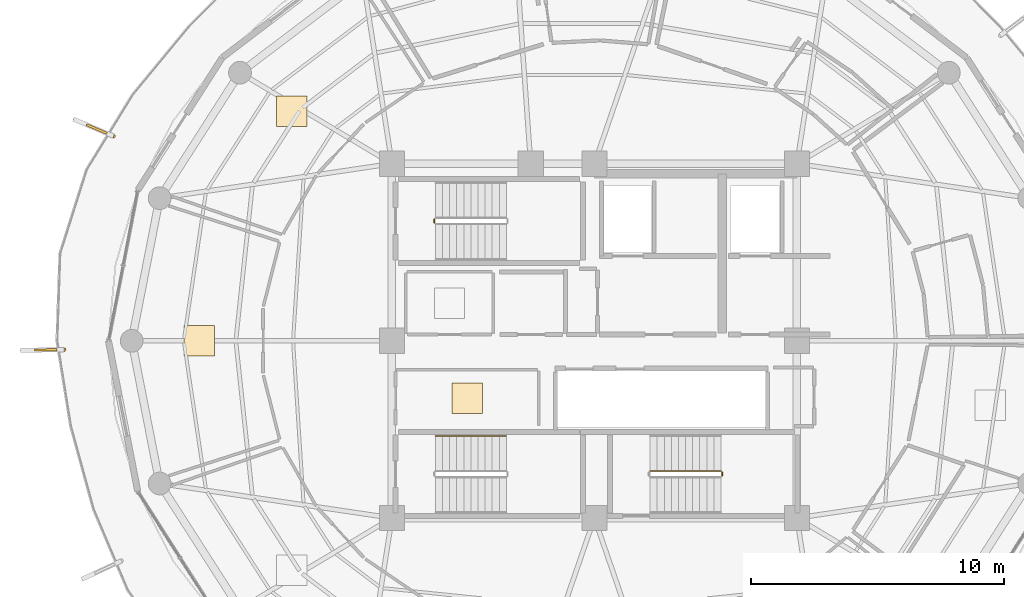
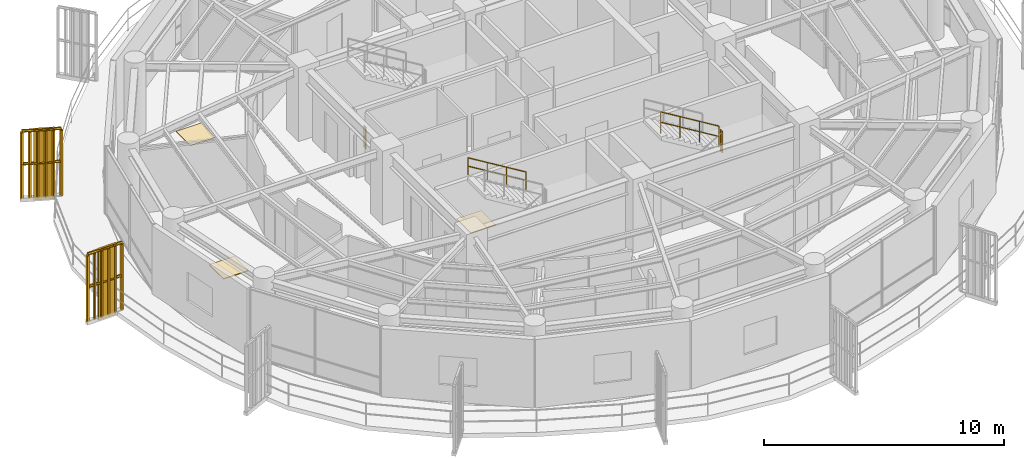
# One storey, part 21 of 23: 6 railings, 3 coverings, 2 shading devices.
"""IFC4 building model written with IfcOpenShell, lengths in metres."""

from ifc_helpers import new_model, si_unit, direction, frame, origin, origin_2d, place, context, subcontext, project, spatial, polyline, rectangle, outline, extrude, source, transform, mapped, material, layer, layer_set, type_object, element, save


model = new_model("IFC4")

# Units and contexts
model_context = context("Model", 3, precision=1e-05, world=origin(), true_north=direction((0.0, 1.0)))
body_context = subcontext(model_context, "Body", "Model", "MODEL_VIEW")
ifc_project = project(units=[si_unit("LENGTHUNIT", "METRE"), si_unit("AREAUNIT", "SQUARE_METRE"), si_unit("VOLUMEUNIT", "CUBIC_METRE"), si_unit("PLANEANGLEUNIT", "RADIAN"), si_unit("MASSUNIT", "GRAM", prefix="KILO")], contexts=[model_context])

# Site, building, storey
site_placement = place(None, origin())
site = spatial("IfcSite", under=ifc_project, at=site_placement, CompositionType="ELEMENT")
building_placement = place(site_placement, origin())
building = spatial("IfcBuilding", under=site, at=building_placement, Name="Kelanora Arch Commons", CompositionType="ELEMENT")
storey_placement = place(building_placement, frame((0.0, 0.0, 252.449951171875)))
storey = spatial("IfcBuildingStorey", under=building, at=storey_placement, Name="L64", CompositionType="ELEMENT", Elevation=252.449951171875)

# Railings
ifc_material_1 = material(Name="Anodised bronze vertical shading fin rib assembly")
railing_type_1 = type_object("IfcRailingType", Name="RAIL-FIN-BRZ", PredefinedType="BALUSTRADE", material=ifc_material_1)
railing_1_placement = place(storey_placement, frame((55.001220703125, 66.084716796875, -0.02001953125)))
element("IfcRailing", 1, at=railing_1_placement, inside=storey, type_object=railing_type_1, Name="Sweeping Bronze Vertical Fin Blade L64-08", PredefinedType="BALUSTRADE", context=body_context, shape_type="SweptSolid", body=[
    extrude(outline(polyline([(0.06982421875, 0.0), (0.034912109375, 0.060546875), (-0.034912109375, 0.060546875), (-0.06982421875, 0.0), (-0.034912109375, -0.060546875), (0.034912109375, -0.060546875), (0.06982421875, 0.0)])), frame((0.0, 0.0, 3.419921875), z_axis=(-0.920093713834, 0.391698299413, 0.0), x_axis=(-0.391698299413, -0.920093713834, 0.0)), (0.0, 0.0, 1.0), 1.6591796875),
    extrude(outline(polyline([(0.06982421875, 0.0), (0.034912109375, 0.060546875), (-0.034912109375, 0.060546875), (-0.06982421875, 0.0), (-0.034912109375, -0.060546875), (0.034912109375, -0.060546875), (0.06982421875, 0.0)])), frame((0.0, 0.0, 1.7451171875), z_axis=(-0.920093713834, 0.391698299413, 0.0), x_axis=(-0.391698299413, -0.920093713834, 0.0)), (0.0, 0.0, 1.0), 1.6591796875),
    extrude(outline(polyline([(0.080078125, 0.0), (0.0400390625, 0.0693359375), (-0.0400390625, 0.0693359375), (-0.080078125, 0.0), (-0.0400390625, -0.0693359375), (0.0400390625, -0.0693359375), (0.080078125, 0.0)])), origin(), (0.0, 0.0, 1.0), 3.35009765625),
    extrude(outline(polyline([(0.080078125, 0.0), (0.0400390625, 0.0693359375), (-0.0400390625, 0.0693359375), (-0.080078125, 0.0), (-0.0400390625, -0.0693359375), (0.0400390625, -0.0693359375), (0.080078125, 0.0)])), frame((-0.305419921875, 0.1298828125, 0.0)), (0.0, 0.0, 1.0), 3.35009765625),
    extrude(outline(polyline([(0.080078125, 0.0), (0.0400390625, 0.0693359375), (-0.0400390625, 0.0693359375), (-0.080078125, 0.0), (-0.0400390625, -0.0693359375), (0.0400390625, -0.0693359375), (0.080078125, 0.0)])), frame((-0.610595703125, 0.260009765625, 0.0)), (0.0, 0.0, 1.0), 3.35009765625),
    extrude(outline(polyline([(0.080078125, 0.0), (0.0400390625, 0.0693359375), (-0.0400390625, 0.0693359375), (-0.080078125, 0.0), (-0.0400390625, -0.0693359375), (0.0400390625, -0.0693359375), (0.080078125, 0.0)])), frame((-0.916015625, 0.389892578125, 0.0)), (0.0, 0.0, 1.0), 3.35009765625),
    extrude(outline(polyline([(0.080078125, 0.0), (0.0400390625, 0.0693359375), (-0.0400390625, 0.0693359375), (-0.080078125, 0.0), (-0.0400390625, -0.0693359375), (0.0400390625, -0.0693359375), (0.080078125, 0.0)])), frame((-1.22119140625, 0.52001953125, 0.0)), (0.0, 0.0, 1.0), 3.35009765625),
    extrude(outline(polyline([(0.080078125, 0.0), (0.0400390625, 0.0693359375), (-0.0400390625, 0.0693359375), (-0.080078125, 0.0), (-0.0400390625, -0.0693359375), (0.0400390625, -0.0693359375), (0.080078125, 0.0)])), frame((-1.526611328125, 0.64990234375, 0.0)), (0.0, 0.0, 1.0), 3.35009765625),
])
railing_2_placement = place(storey_placement, frame((53.044677734375, 57.6533203125, -0.02001953125)))
element("IfcRailing", 2, at=railing_2_placement, inside=storey, type_object=railing_type_1, Name="Sweeping Bronze Vertical Fin Blade L64-09", PredefinedType="BALUSTRADE", context=body_context, shape_type="SweptSolid", body=[
    extrude(outline(polyline([(0.06982421875, 0.0), (0.034912109375, 0.060546875), (-0.034912109375, 0.060546875), (-0.06982421875, 0.0), (-0.034912109375, -0.060546875), (0.034912109375, -0.060546875), (0.06982421875, 0.0)])), frame((0.0, 0.0, 3.419921875), z_axis=(-0.999861752304, -0.016627575866, 0.0), x_axis=(0.016627575866, -0.999861752304, 0.0)), (0.0, 0.0, 1.0), 1.6591796875),
    extrude(outline(polyline([(0.06982421875, 0.0), (0.034912109375, 0.060546875), (-0.034912109375, 0.060546875), (-0.06982421875, 0.0), (-0.034912109375, -0.060546875), (0.034912109375, -0.060546875), (0.06982421875, 0.0)])), frame((0.0, 0.0, 1.7451171875), z_axis=(-0.999861752304, -0.016627575866, 0.0), x_axis=(0.016627575866, -0.999861752304, 0.0)), (0.0, 0.0, 1.0), 1.6591796875),
    extrude(outline(polyline([(0.080078125, 0.0), (0.0400390625, 0.0693359375), (-0.0400390625, 0.0693359375), (-0.080078125, 0.0), (-0.0400390625, -0.0693359375), (0.0400390625, -0.0693359375), (0.080078125, 0.0)])), origin(), (0.0, 0.0, 1.0), 3.35009765625),
    extrude(outline(polyline([(0.080078125, 0.0), (0.0400390625, 0.0693359375), (-0.0400390625, 0.0693359375), (-0.080078125, 0.0), (-0.0400390625, -0.0693359375), (0.0400390625, -0.0693359375), (0.080078125, 0.0)])), frame((-0.331787109375, -0.005615234375, 0.0)), (0.0, 0.0, 1.0), 3.35009765625),
    extrude(outline(polyline([(0.080078125, 0.0), (0.0400390625, 0.0693359375), (-0.0400390625, 0.0693359375), (-0.080078125, 0.0), (-0.0400390625, -0.0693359375), (0.0400390625, -0.0693359375), (0.080078125, 0.0)])), frame((-0.66357421875, -0.010986328125, 0.0)), (0.0, 0.0, 1.0), 3.35009765625),
    extrude(outline(polyline([(0.080078125, 0.0), (0.0400390625, 0.0693359375), (-0.0400390625, 0.0693359375), (-0.080078125, 0.0), (-0.0400390625, -0.0693359375), (0.0400390625, -0.0693359375), (0.080078125, 0.0)])), frame((-0.995361328125, -0.0166015625, 0.0)), (0.0, 0.0, 1.0), 3.35009765625),
    extrude(outline(polyline([(0.080078125, 0.0), (0.0400390625, 0.0693359375), (-0.0400390625, 0.0693359375), (-0.080078125, 0.0), (-0.0400390625, -0.0693359375), (0.0400390625, -0.0693359375), (0.080078125, 0.0)])), frame((-1.3271484375, -0.02197265625, 0.0)), (0.0, 0.0, 1.0), 3.35009765625),
    extrude(outline(polyline([(0.080078125, 0.0), (0.0400390625, 0.0693359375), (-0.0400390625, 0.0693359375), (-0.080078125, 0.0), (-0.0400390625, -0.0693359375), (0.0400390625, -0.0693359375), (0.080078125, 0.0)])), frame((-1.658935546875, -0.027587890625, 0.0)), (0.0, 0.0, 1.0), 3.35009765625),
])
ifc_material_2 = material(Name="Painted steel stair well guard", Category="steel")
railing_type_2 = type_object("IfcRailingType", Name="RAIL-STAIR-GRD", PredefinedType="GUARDRAIL", material=ifc_material_2)
for number, where, name in (
    (3, (67.669921875, 62.659912109375, 0.0), "L64 ST-T1 stair guard 4"),
    (4, (79.050048828125, 52.659912109375, 1.875), "L64 ST-T2 stair guard 2"),
):
    element("IfcRailing", number, at=place(storey_placement, frame(where)), inside=storey, type_object=railing_type_2, Name=name, PredefinedType="GUARDRAIL", context=body_context, shape_type="SweptSolid", body=[
        extrude(outline(polyline([(0.02392578125, 0.0), (0.011962890625, 0.020751953125), (-0.011962890625, 0.020751953125), (-0.02392578125, 0.0), (-0.011962890625, -0.020751953125), (0.011962890625, -0.020751953125), (0.02392578125, 0.0)])), frame((0.0, 0.0, 1.076171875), z_axis=(0.0, 1.0, 0.0), x_axis=(-1.0, 0.0, 0.0)), (0.0, 0.0, 1.0), 0.150146484375),
        extrude(outline(polyline([(0.02392578125, 0.0), (0.011962890625, 0.020751953125), (-0.011962890625, 0.020751953125), (-0.02392578125, 0.0), (-0.011962890625, -0.020751953125), (0.011962890625, -0.020751953125), (0.02392578125, 0.0)])), frame((0.0, 0.0, 0.550048828125), z_axis=(0.0, 1.0, 0.0), x_axis=(-1.0, 0.0, 0.0)), (0.0, 0.0, 1.0), 0.150146484375),
        extrude(outline(polyline([(0.02099609375, 0.0), (0.010498046875, 0.01806640625), (-0.010498046875, 0.01806640625), (-0.02099609375, 0.0), (-0.010498046875, -0.01806640625), (0.010498046875, -0.01806640625), (0.02099609375, 0.0)])), origin(), (0.0, 0.0, 1.0), 1.052001953125),
        extrude(outline(polyline([(0.02099609375, 0.0), (0.010498046875, 0.01806640625), (-0.010498046875, 0.01806640625), (-0.02099609375, 0.0), (-0.010498046875, -0.01806640625), (0.010498046875, -0.01806640625), (0.02099609375, 0.0)])), frame((0.0, 0.150146484375, 0.0)), (0.0, 0.0, 1.0), 1.052001953125),
    ])
railing_3_placement = place(storey_placement, frame((79.0, 52.860107421875, 2.04541015625)))
element("IfcRailing", 5, at=railing_3_placement, inside=storey, type_object=railing_type_2, Name="L64 ST-T2 stair guard 3", PredefinedType="GUARDRAIL", context=body_context, shape_type="SweptSolid", body=[
    extrude(outline(polyline([(0.02392578125, 0.0), (0.011962890625, 0.020751953125), (-0.011962890625, 0.020751953125), (-0.02392578125, 0.0), (-0.011962890625, -0.020751953125), (0.011962890625, -0.020751953125), (0.02392578125, 0.0)])), frame((0.0, 0.0, 1.076171875), z_axis=(-0.854169791009, 0.0, 0.51999420009), x_axis=(0.0, -1.0, 0.0)), (0.0, 0.0, 1.0), 3.278076171875),
    extrude(outline(polyline([(0.02392578125, 0.0), (0.011962890625, 0.020751953125), (-0.011962890625, 0.020751953125), (-0.02392578125, 0.0), (-0.011962890625, -0.020751953125), (0.011962890625, -0.020751953125), (0.02392578125, 0.0)])), frame((0.0, 0.0, 0.550048828125), z_axis=(-0.854169791009, 0.0, 0.51999420009), x_axis=(0.0, -1.0, 0.0)), (0.0, 0.0, 1.0), 3.278076171875),
    extrude(outline(polyline([(0.02099609375, 0.0), (0.010498046875, 0.01806640625), (-0.010498046875, 0.01806640625), (-0.02099609375, 0.0), (-0.010498046875, -0.01806640625), (0.010498046875, -0.01806640625), (0.02099609375, 0.0)])), origin(), (0.0, 0.0, 1.0), 1.052001953125),
    extrude(outline(polyline([(0.02099609375, 0.0), (0.010498046875, 0.01806640625), (-0.010498046875, 0.01806640625), (-0.02099609375, 0.0), (-0.010498046875, -0.01806640625), (0.010498046875, -0.01806640625), (0.02099609375, 0.0)])), frame((-0.933349609375, 0.0, 0.568115234375)), (0.0, 0.0, 1.0), 1.052001953125),
    extrude(outline(polyline([(0.02099609375, 0.0), (0.010498046875, 0.01806640625), (-0.010498046875, 0.01806640625), (-0.02099609375, 0.0), (-0.010498046875, -0.01806640625), (0.010498046875, -0.01806640625), (0.02099609375, 0.0)])), frame((-1.86669921875, 0.0, 1.136474609375)), (0.0, 0.0, 1.0), 1.052001953125),
    extrude(outline(polyline([(0.02099609375, 0.0), (0.010498046875, 0.01806640625), (-0.010498046875, 0.01806640625), (-0.02099609375, 0.0), (-0.010498046875, -0.01806640625), (0.010498046875, -0.01806640625), (0.02099609375, 0.0)])), frame((-2.800048828125, 0.0, 1.70458984375)), (0.0, 0.0, 1.0), 1.052001953125),
])
ifc_material_3 = material(Name="Brushed stainless steel stair handrail", Category="steel")
railing_type_3 = type_object("IfcRailingType", Name="RAIL-STAIR-HND", PredefinedType="HANDRAIL", material=ifc_material_3)
railing_4_placement = place(storey_placement, frame((70.52001953125, 54.239990234375, 2.04541015625)))
element("IfcRailing", 6, at=railing_4_placement, inside=storey, type_object=railing_type_3, Name="L64 ST-T3 stair handrail 2", PredefinedType="HANDRAIL", context=body_context, shape_type="SweptSolid", body=[
    extrude(outline(polyline([(0.02392578125, 0.0), (0.011962890625, 0.020751953125), (-0.011962890625, 0.020751953125), (-0.02392578125, 0.0), (-0.011962890625, -0.020751953125), (0.011962890625, -0.020751953125), (0.02392578125, 0.0)])), frame((0.0, 0.0, 0.8759765625), z_axis=(-0.854169791009, 0.0, 0.51999420009), x_axis=(0.0, -1.0, 0.0)), (0.0, 0.0, 1.0), 3.278076171875),
    extrude(outline(polyline([(0.02392578125, 0.0), (0.011962890625, 0.020751953125), (-0.011962890625, 0.020751953125), (-0.02392578125, 0.0), (-0.011962890625, -0.020751953125), (0.011962890625, -0.020751953125), (0.02392578125, 0.0)])), frame((0.0, 0.0, 0.449951171875), z_axis=(-0.854169791009, 0.0, 0.51999420009), x_axis=(0.0, -1.0, 0.0)), (0.0, 0.0, 1.0), 3.278076171875),
    extrude(outline(polyline([(0.02099609375, 0.0), (0.010498046875, 0.01806640625), (-0.010498046875, 0.01806640625), (-0.02099609375, 0.0), (-0.010498046875, -0.01806640625), (0.010498046875, -0.01806640625), (0.02099609375, 0.0)])), origin(), (0.0, 0.0, 1.0), 0.851806640625),
    extrude(outline(polyline([(0.02099609375, 0.0), (0.010498046875, 0.01806640625), (-0.010498046875, 0.01806640625), (-0.02099609375, 0.0), (-0.010498046875, -0.01806640625), (0.010498046875, -0.01806640625), (0.02099609375, 0.0)])), frame((-0.933349609375, 0.0, 0.568115234375)), (0.0, 0.0, 1.0), 0.851806640625),
    extrude(outline(polyline([(0.02099609375, 0.0), (0.010498046875, 0.01806640625), (-0.010498046875, 0.01806640625), (-0.02099609375, 0.0), (-0.010498046875, -0.01806640625), (0.010498046875, -0.01806640625), (0.02099609375, 0.0)])), frame((-1.86669921875, 0.0, 1.136474609375)), (0.0, 0.0, 1.0), 0.851806640625),
    extrude(outline(polyline([(0.02099609375, 0.0), (0.010498046875, 0.01806640625), (-0.010498046875, 0.01806640625), (-0.02099609375, 0.0), (-0.010498046875, -0.01806640625), (0.010498046875, -0.01806640625), (0.02099609375, 0.0)])), frame((-2.800048828125, 0.0, 1.70458984375)), (0.0, 0.0, 1.0), 0.851806640625),
])

# Shading devices
ifc_material_4 = material(Name="Terracotta ceramic-clad extruded aluminium fin", Category="masonry")
shading_device_type = type_object("IfcShadingDeviceType", Name="SHD-FIN-FLARE", PredefinedType="USERDEFINED", material=ifc_material_4)
shared_shape_1 = source(origin(), body_context, "Body", "SweptSolid", [
    extrude(rectangle(XDim=0.8798828125, YDim=0.090087890625, at=origin_2d()), origin(), (0.0, 0.0, 1.0), 3.610107421875),
])
for number, where, z_axis, x_axis, name in (
    (7, (54.3388671875, 66.36669921875, -0.14013671875), (0.0, 0.0, 1.0), (-0.920163525759, 0.391534271632, 0.0), "Sweeping Terracotta Fin L64-08"),
    (8, (52.32470703125, 57.641357421875, -0.14013671875), (0.0, 0.0, 1.0), (-0.999862544538, -0.016579868188, 0.0), "Sweeping Terracotta Fin L64-09"),
):
    element("IfcShadingDevice", number, at=place(storey_placement, frame(where, z_axis=z_axis, x_axis=x_axis)), inside=storey, type_object=shading_device_type, Name=name, ObjectType="FIN", PredefinedType="USERDEFINED", context=body_context, shape_type="MappedRepresentation", body=[
        mapped(shared_shape_1, transform((0.0, 0.0, 0.0), scale=1.0)),
    ])

# Coverings
ifc_material_5 = material(Name="Polished local granite terrazzo flooring", Category="masonry")
ifc_layer = layer(ifc_material_5, 0.030029296875)
ifc_layer_set = layer_set([ifc_layer], Name="Polished local granite terrazzo flooring")
covering_type = type_object("IfcCoveringType", Name="COV-FLR-TER", PredefinedType="FLOORING", material=ifc_layer_set)
shared_shape_2 = source(origin(), body_context, "Body", "SweptSolid", [
    extrude(rectangle(XDim=1.199951171875, YDim=1.199951171875, at=origin_2d()), origin(), (0.0, 0.0, 1.0), 0.030029296875),
])
for number, where, z_axis, x_axis, name in (
    (9, (68.97509765625, 55.735107421875, 0.0), (0.0, 0.0, 1.0), (1.0, 0.0, 0.0), "Reclaimed Core High-Zone Pantry and Copy Room L64 Terrazzo Finish"),
    (10, (62.040771484375, 67.069580078125, 0.0), (0.0, 0.0, 1.0), (1.0, 0.0, 0.0), "Communal Dining and Social Hall L64-04 Terrazzo Finish"),
    (11, (58.388427734375, 58.0, 0.0), (0.0, 0.0, 1.0), (1.0, 0.0, 0.0), "Social Sky Lounge L64-05 Terrazzo Finish"),
):
    element("IfcCovering", number, at=place(storey_placement, frame(where, z_axis=z_axis, x_axis=x_axis)), inside=storey, type_object=covering_type, Name=name, PredefinedType="FLOORING", context=body_context, shape_type="MappedRepresentation", body=[
        mapped(shared_shape_2, transform((0.0, 0.0, 0.0), scale=1.0)),
    ])

save(model, "model.ifc")
